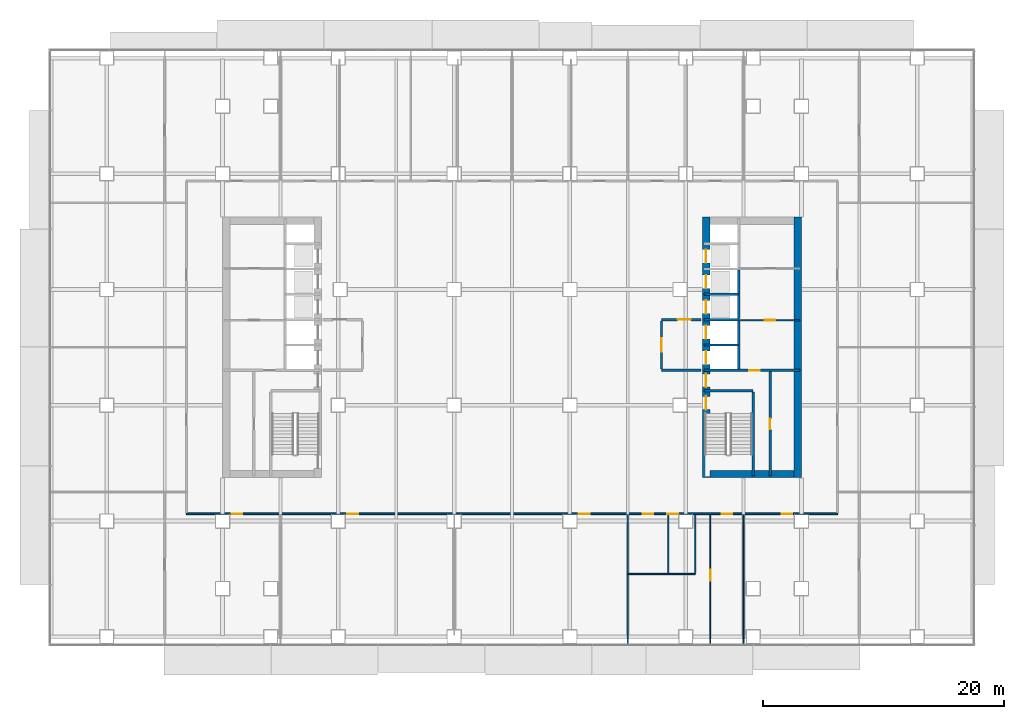
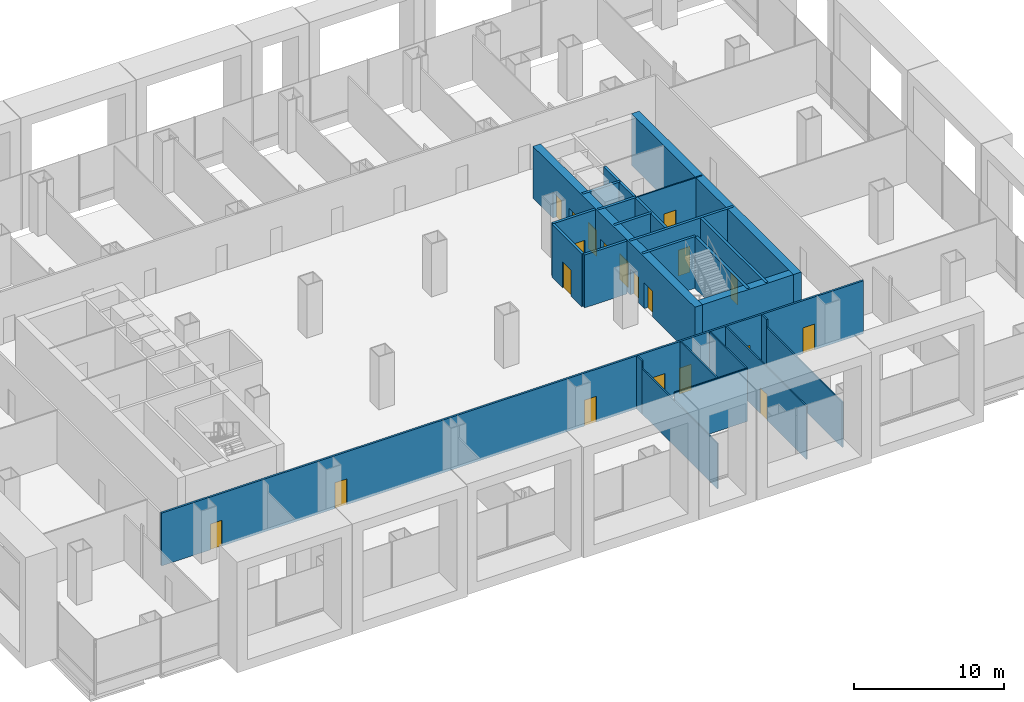
# One storey, part 15 of 23: 25 walls, 20 doors, 20 openings.
"""IFC4 building model written with IfcOpenShell, lengths in metres."""

from ifc_helpers import new_model, si_unit, direction, frame, frame_2d, origin, place, context, subcontext, project, spatial, rectangle, extrude, material, layer, layer_set, type_object, element, fill, save


model = new_model("IFC4")

# Units and contexts
model_context = context("Model", 3, precision=1e-05, world=origin(), true_north=direction((0.0, 1.0)))
body_context = subcontext(model_context, "Body", "Model", "MODEL_VIEW")
ifc_project = project(units=[si_unit("LENGTHUNIT", "METRE"), si_unit("AREAUNIT", "SQUARE_METRE"), si_unit("VOLUMEUNIT", "CUBIC_METRE"), si_unit("PLANEANGLEUNIT", "RADIAN"), si_unit("MASSUNIT", "GRAM", prefix="KILO")], contexts=[model_context])

# Site, building, storey
site_placement = place(None, origin())
site = spatial("IfcSite", under=ifc_project, at=site_placement, CompositionType="ELEMENT")
building_placement = place(site_placement, origin())
building = spatial("IfcBuilding", under=site, at=building_placement, Name="Cobrizo Arcos Hotel Tower", CompositionType="ELEMENT")
storey_placement = place(building_placement, frame((0.0, 0.0, 15.5)))
storey = spatial("IfcBuildingStorey", under=building, at=storey_placement, Name="L02", CompositionType="ELEMENT", Elevation=15.5)

# Wall, openings, doors
ifc_material_1 = material(Name="Gypsum board partition")
ifc_layer_1 = layer(ifc_material_1, 0.14990234375)
ifc_layer_set_1 = layer_set([ifc_layer_1], Name="Corridor wall EI 60 150")
wall_type_1 = type_object("IfcWallType", Name="Corridor wall EI 60 150", PredefinedType="PARTITIONING", material=ifc_layer_set_1)
wall_1_placement = place(storey_placement, frame((-27.0, -13.800048828125, 0.0), z_axis=(0.0, 0.0, 1.0), x_axis=(1.0, 0.0, 0.0)))
wall_1 = element("IfcWall", 1, at=wall_1_placement, inside=storey, type_object=wall_type_1, Name="Partition 002", PredefinedType="PARTITIONING", context=body_context, shape_type="SweptSolid", body=[
    extrude(rectangle(XDim=54.0, YDim=0.14990234375, at=frame_2d((27.0, 0.0))), origin(), (0.0, 0.0, 1.0), 4.300048828125),
])
opening_1_placement = place(wall_1_placement, frame((37.830078125, 0.0, 0.0)))
opening_1 = element("IfcOpeningElement", 2, at=opening_1_placement, cuts=wall_1, Name="Opening ED-01", PredefinedType="OPENING", context=body_context, shape_type="SweptSolid", body=[
    extrude(rectangle(XDim=0.89990234375, YDim=2.10009765625, at=frame_2d((0.449951171875, 1.050048828125))), frame((0.0, 0.0869140625, 0.0), z_axis=(0.0, -1.0, 0.0), x_axis=(1.0, 0.0, 0.0)), (0.0, 0.0, 1.0), 0.173828125),
])
opening_2_placement = place(wall_1_placement, frame((39.8798828125, 0.0, 0.0)))
opening_2 = element("IfcOpeningElement", 3, at=opening_2_placement, cuts=wall_1, Name="Opening ED-02", PredefinedType="OPENING", context=body_context, shape_type="SweptSolid", body=[
    extrude(rectangle(XDim=0.89990234375, YDim=2.10009765625, at=frame_2d((0.449951171875, 1.050048828125))), frame((0.0, 0.0869140625, 0.0), z_axis=(0.0, -1.0, 0.0), x_axis=(1.0, 0.0, 0.0)), (0.0, 0.0, 1.0), 0.173828125),
])
opening_3_placement = place(wall_1_placement, frame((3.75, 0.0, 0.0)))
opening_3 = element("IfcOpeningElement", 4, at=opening_3_placement, cuts=wall_1, Name="Opening RD-16", PredefinedType="OPENING", context=body_context, shape_type="SweptSolid", body=[
    extrude(rectangle(XDim=0.89990234375, YDim=2.10009765625, at=frame_2d((0.449951171875, 1.050048828125))), frame((0.0, 0.0869140625, 0.0), z_axis=(0.0, -1.0, 0.0), x_axis=(1.0, 0.0, 0.0)), (0.0, 0.0, 1.0), 0.173828125),
])
opening_4_placement = place(wall_1_placement, frame((49.35009765625, 0.0, 0.0)))
opening_4 = element("IfcOpeningElement", 5, at=opening_4_placement, cuts=wall_1, Name="Opening RD-20", PredefinedType="OPENING", context=body_context, shape_type="SweptSolid", body=[
    extrude(rectangle(XDim=0.89990234375, YDim=2.10009765625, at=frame_2d((0.449951171875, 1.050048828125))), frame((0.0, 0.0869140625, 0.0), z_axis=(0.0, -1.0, 0.0), x_axis=(1.0, 0.0, 0.0)), (0.0, 0.0, 1.0), 0.173828125),
])
opening_5_placement = place(wall_1_placement, frame((13.35009765625, 0.0, 0.0)))
opening_5 = element("IfcOpeningElement", 6, at=opening_5_placement, cuts=wall_1, Name="Opening RD-24", PredefinedType="OPENING", context=body_context, shape_type="SweptSolid", body=[
    extrude(rectangle(XDim=0.89990234375, YDim=2.10009765625, at=frame_2d((0.449951171875, 1.050048828125))), frame((0.0, 0.0869140625, 0.0), z_axis=(0.0, -1.0, 0.0), x_axis=(1.0, 0.0, 0.0)), (0.0, 0.0, 1.0), 0.173828125),
])
opening_6_placement = place(wall_1_placement, frame((32.550048828125, 0.0, 0.0)))
opening_6 = element("IfcOpeningElement", 7, at=opening_6_placement, cuts=wall_1, Name="Opening RD-25", PredefinedType="OPENING", context=body_context, shape_type="SweptSolid", body=[
    extrude(rectangle(XDim=0.89990234375, YDim=2.10009765625, at=frame_2d((0.449951171875, 1.050048828125))), frame((0.0, 0.0869140625, 0.0), z_axis=(0.0, -1.0, 0.0), x_axis=(1.0, 0.0, 0.0)), (0.0, 0.0, 1.0), 0.173828125),
])
opening_7_placement = place(wall_1_placement, frame((44.382080078125, 0.0, 0.0)))
opening_7 = element("IfcOpeningElement", 8, at=opening_7_placement, cuts=wall_1, Name="Opening RD-27", PredefinedType="OPENING", context=body_context, shape_type="SweptSolid", body=[
    extrude(rectangle(XDim=0.89990234375, YDim=2.10009765625, at=frame_2d((0.449951171875, 1.050048828125))), frame((0.0, 0.0869140625, 0.0), z_axis=(0.0, -1.0, 0.0), x_axis=(1.0, 0.0, 0.0)), (0.0, 0.0, 1.0), 0.173828125),
])
ifc_material_2 = material(Name="Timber door leaf", Category="wood")
door_type_1 = type_object("IfcDoorType", Name="En-suite door 900x2100", OperationType="SINGLE_SWING_LEFT", PredefinedType="DOOR", material=ifc_material_2)
door_1_placement = place(opening_1_placement, origin())
door_1 = element("IfcDoor", 9, at=door_1_placement, inside=storey, type_object=door_type_1, Name="Door ED-01", OperationType="SINGLE_SWING_RIGHT", OverallHeight=2.10009765625, OverallWidth=0.89990234375, PredefinedType="DOOR", context=body_context, shape_type="SweptSolid", body=[
    extrude(rectangle(XDim=0.89990234375, YDim=2.10009765625, at=frame_2d((0.449951171875, 1.050048828125))), frame((0.0, 0.02490234375, 0.0), z_axis=(0.0, -1.0, 0.0), x_axis=(1.0, 0.0, 0.0)), (0.0, 0.0, 1.0), 0.050048828125),
])
fill(opening_1, door_1)
door_2_placement = place(opening_2_placement, origin())
door_2 = element("IfcDoor", 10, at=door_2_placement, inside=storey, type_object=door_type_1, Name="Door ED-02", OperationType="SINGLE_SWING_LEFT", OverallHeight=2.10009765625, OverallWidth=0.89990234375, PredefinedType="DOOR", context=body_context, shape_type="SweptSolid", body=[
    extrude(rectangle(XDim=0.89990234375, YDim=2.10009765625, at=frame_2d((0.449951171875, 1.050048828125))), frame((0.0, 0.02490234375, 0.0), z_axis=(0.0, -1.0, 0.0), x_axis=(1.0, 0.0, 0.0)), (0.0, 0.0, 1.0), 0.050048828125),
])
fill(opening_2, door_2)
door_type_2 = type_object("IfcDoorType", Name="Room door FD30 900x2100", OperationType="SINGLE_SWING_LEFT", PredefinedType="DOOR", material=ifc_material_2)
door_3_placement = place(opening_3_placement, origin())
door_3 = element("IfcDoor", 11, at=door_3_placement, inside=storey, type_object=door_type_2, Name="Door RD-16", OperationType="SINGLE_SWING_LEFT", OverallHeight=2.10009765625, OverallWidth=0.89990234375, PredefinedType="DOOR", context=body_context, shape_type="SweptSolid", body=[
    extrude(rectangle(XDim=0.89990234375, YDim=2.10009765625, at=frame_2d((0.449951171875, 1.050048828125))), frame((0.0, 0.02490234375, 0.0), z_axis=(0.0, -1.0, 0.0), x_axis=(1.0, 0.0, 0.0)), (0.0, 0.0, 1.0), 0.050048828125),
])
fill(opening_3, door_3)
door_4_placement = place(opening_4_placement, origin())
door_4 = element("IfcDoor", 12, at=door_4_placement, inside=storey, type_object=door_type_2, Name="Door RD-20", OperationType="SINGLE_SWING_RIGHT", OverallHeight=2.10009765625, OverallWidth=0.89990234375, PredefinedType="DOOR", context=body_context, shape_type="SweptSolid", body=[
    extrude(rectangle(XDim=0.89990234375, YDim=2.10009765625, at=frame_2d((0.449951171875, 1.050048828125))), frame((0.0, 0.02490234375, 0.0), z_axis=(0.0, -1.0, 0.0), x_axis=(1.0, 0.0, 0.0)), (0.0, 0.0, 1.0), 0.050048828125),
])
fill(opening_4, door_4)
door_5_placement = place(opening_5_placement, origin())
door_5 = element("IfcDoor", 13, at=door_5_placement, inside=storey, type_object=door_type_2, Name="Door RD-24", OperationType="SINGLE_SWING_LEFT", OverallHeight=2.10009765625, OverallWidth=0.89990234375, PredefinedType="DOOR", context=body_context, shape_type="SweptSolid", body=[
    extrude(rectangle(XDim=0.89990234375, YDim=2.10009765625, at=frame_2d((0.449951171875, 1.050048828125))), frame((0.0, 0.02490234375, 0.0), z_axis=(0.0, -1.0, 0.0), x_axis=(1.0, 0.0, 0.0)), (0.0, 0.0, 1.0), 0.050048828125),
])
fill(opening_5, door_5)
door_6_placement = place(opening_6_placement, origin())
door_6 = element("IfcDoor", 14, at=door_6_placement, inside=storey, type_object=door_type_2, Name="Door RD-25", OperationType="SINGLE_SWING_LEFT", OverallHeight=2.10009765625, OverallWidth=0.89990234375, PredefinedType="DOOR", context=body_context, shape_type="SweptSolid", body=[
    extrude(rectangle(XDim=0.89990234375, YDim=2.10009765625, at=frame_2d((0.449951171875, 1.050048828125))), frame((0.0, 0.02490234375, 0.0), z_axis=(0.0, -1.0, 0.0), x_axis=(1.0, 0.0, 0.0)), (0.0, 0.0, 1.0), 0.050048828125),
])
fill(opening_6, door_6)
door_7_placement = place(opening_7_placement, origin())
door_7 = element("IfcDoor", 15, at=door_7_placement, inside=storey, type_object=door_type_2, Name="Door RD-27", OperationType="SINGLE_SWING_RIGHT", OverallHeight=2.10009765625, OverallWidth=0.89990234375, PredefinedType="DOOR", context=body_context, shape_type="SweptSolid", body=[
    extrude(rectangle(XDim=0.89990234375, YDim=2.10009765625, at=frame_2d((0.449951171875, 1.050048828125))), frame((0.0, 0.02490234375, 0.0), z_axis=(0.0, -1.0, 0.0), x_axis=(1.0, 0.0, 0.0)), (0.0, 0.0, 1.0), 0.050048828125),
])
fill(opening_7, door_7)

# Wall
ifc_layer_2 = layer(ifc_material_1, 0.10009765625)
ifc_layer_set_2 = layer_set([ifc_layer_2], Name="Partition EI 30 100")
wall_type_2 = type_object("IfcWallType", Name="Partition EI 30 100", PredefinedType="PARTITIONING", material=ifc_layer_set_2)
wall_2_placement = place(storey_placement, frame((9.60009765625, -18.800048828125, 0.0), z_axis=(0.0, 0.0, 1.0), x_axis=(1.0, 0.0, 0.0)))
element("IfcWall", 16, at=wall_2_placement, inside=storey, type_object=wall_type_2, Name="Partition 001", PredefinedType="PARTITIONING", context=body_context, shape_type="SweptSolid", body=[
    extrude(rectangle(XDim=5.599853515625, YDim=0.10009765625, at=frame_2d((2.7998046875, 0.0))), origin(), (0.0, 0.0, 1.0), 4.300048828125),
])

# Wall, opening, door
wall_3_placement = place(storey_placement, frame((18.800048828125, 2.25, 0.0), z_axis=(0.0, 0.0, 1.0), x_axis=(1.0, 0.0, 0.0)))
wall_3 = element("IfcWall", 17, at=wall_3_placement, inside=storey, type_object=wall_type_2, Name="Partition 016", PredefinedType="PARTITIONING", context=body_context, shape_type="SweptSolid", body=[
    extrude(rectangle(XDim=5.079833984375, YDim=0.10009765625, at=frame_2d((2.5400390625, 0.0))), origin(), (0.0, 0.0, 1.0), 4.199951171875),
])
opening_8_placement = place(wall_3_placement, frame((2.14990234375, 0.0, 0.0)))
opening_8 = element("IfcOpeningElement", 18, at=opening_8_placement, cuts=wall_3, Name="Opening RD-07", PredefinedType="OPENING", context=body_context, shape_type="SweptSolid", body=[
    extrude(rectangle(XDim=0.89990234375, YDim=2.10009765625, at=frame_2d((0.449951171875, 1.050048828125))), frame((0.0, 0.06201171875, 0.0), z_axis=(0.0, -1.0, 0.0), x_axis=(1.0, 0.0, 0.0)), (0.0, 0.0, 1.0), 0.1240234375),
])
door_8_placement = place(opening_8_placement, origin())
door_8 = element("IfcDoor", 19, at=door_8_placement, inside=storey, type_object=door_type_2, Name="Door RD-07", OperationType="SINGLE_SWING_LEFT", OverallHeight=2.10009765625, OverallWidth=0.89990234375, PredefinedType="DOOR", context=body_context, shape_type="SweptSolid", body=[
    extrude(rectangle(XDim=0.89990234375, YDim=2.10009765625, at=frame_2d((0.449951171875, 1.050048828125))), frame((0.0, 0.02490234375, 0.0), z_axis=(0.0, -1.0, 0.0), x_axis=(1.0, 0.0, 0.0)), (0.0, 0.0, 1.0), 0.050048828125),
])
fill(opening_8, door_8)

# Walls
wall_4_placement = place(storey_placement, frame((9.60009765625, -24.6298828125, 0.0), z_axis=(0.0, 0.0, 1.0), x_axis=(0.0, 1.0, 0.0)))
element("IfcWall", 20, at=wall_4_placement, inside=storey, type_object=wall_type_2, Name="Partition 062", PredefinedType="PARTITIONING", context=body_context, shape_type="SweptSolid", body=[
    extrude(rectangle(XDim=10.076171875, YDim=0.10009765625, at=frame_2d((5.0380859375, 0.0))), origin(), (0.0, 0.0, 1.0), 3.68310546875),
])
wall_5_placement = place(storey_placement, frame((9.60009765625, -14.553955078125, 0.0), z_axis=(0.0, 0.0, 1.0), x_axis=(0.0, 1.0, 0.0)))
element("IfcWall", 21, at=wall_5_placement, inside=storey, type_object=wall_type_2, Name="Partition 063", PredefinedType="PARTITIONING", context=body_context, shape_type="SweptSolid", body=[
    extrude(rectangle(XDim=0.678955078125, YDim=0.10009765625, at=frame_2d((0.33935546875, 0.0))), origin(), (0.0, 0.0, 1.0), 4.300048828125),
])
for number, where, z_axis, x_axis, name in (
    (22, (12.949951171875, -18.75, 0.0), (0.0, 0.0, 1.0), (0.0, 1.0, 0.0), "Partition 067"),
    (23, (15.199951171875, -18.75, 0.0), (0.0, 0.0, 1.0), (0.0, 1.0, 0.0), "Partition 071"),
):
    element("IfcWall", number, at=place(storey_placement, frame(where, z_axis=z_axis, x_axis=x_axis)), inside=storey, type_object=wall_type_2, Name=name, PredefinedType="PARTITIONING", context=body_context, shape_type="SweptSolid", body=[
        extrude(rectangle(XDim=4.875, YDim=0.10009765625, at=frame_2d((2.4375, 0.0))), origin(), (0.0, 0.0, 1.0), 4.300048828125),
    ])

# Wall, opening, door
wall_6_placement = place(storey_placement, frame((16.449951171875, -24.6298828125, 0.0), z_axis=(0.0, 0.0, 1.0), x_axis=(0.0, 1.0, 0.0)))
wall_6 = element("IfcWall", 24, at=wall_6_placement, inside=storey, type_object=wall_type_2, Name="Partition 072", PredefinedType="PARTITIONING", context=body_context, shape_type="SweptSolid", body=[
    extrude(rectangle(XDim=10.7548828125, YDim=0.10009765625, at=frame_2d((5.37744140625, 0.0))), origin(), (0.0, 0.0, 1.0), 4.300048828125),
])
opening_9_placement = place(wall_6_placement, frame((5.280029296875, 0.0, 0.0)))
opening_9 = element("IfcOpeningElement", 25, at=opening_9_placement, cuts=wall_6, Name="Opening RD-28", PredefinedType="OPENING", context=body_context, shape_type="SweptSolid", body=[
    extrude(rectangle(XDim=0.89990234375, YDim=2.10009765625, at=frame_2d((0.449951171875, 1.050048828125))), frame((0.0, 0.06201171875, 0.0), z_axis=(0.0, -1.0, 0.0), x_axis=(1.0, 0.0, 0.0)), (0.0, 0.0, 1.0), 0.1240234375),
])
door_9_placement = place(opening_9_placement, origin())
door_9 = element("IfcDoor", 26, at=door_9_placement, inside=storey, type_object=door_type_2, Name="Door RD-28", OperationType="SINGLE_SWING_LEFT", OverallHeight=2.10009765625, OverallWidth=0.89990234375, PredefinedType="DOOR", context=body_context, shape_type="SweptSolid", body=[
    extrude(rectangle(XDim=0.89990234375, YDim=2.10009765625, at=frame_2d((0.449951171875, 1.050048828125))), frame((0.0, 0.02490234375, 0.0), z_axis=(0.0, -1.0, 0.0), x_axis=(1.0, 0.0, 0.0)), (0.0, 0.0, 1.0), 0.050048828125),
])
fill(opening_9, door_9)

# Walls
wall_7_placement = place(storey_placement, frame((19.199951171875, -24.6298828125, 0.0), z_axis=(0.0, 0.0, 1.0), x_axis=(0.0, 1.0, 0.0)))
element("IfcWall", 27, at=wall_7_placement, inside=storey, type_object=wall_type_2, Name="Partition 076", PredefinedType="PARTITIONING", context=body_context, shape_type="SweptSolid", body=[
    extrude(rectangle(XDim=10.076171875, YDim=0.10009765625, at=frame_2d((5.0380859375, 0.0))), origin(), (0.0, 0.0, 1.0), 3.68310546875),
])
wall_8_placement = place(storey_placement, frame((19.199951171875, -14.553955078125, 0.0), z_axis=(0.0, 0.0, 1.0), x_axis=(0.0, 1.0, 0.0)))
element("IfcWall", 28, at=wall_8_placement, inside=storey, type_object=wall_type_2, Name="Partition 077", PredefinedType="PARTITIONING", context=body_context, shape_type="SweptSolid", body=[
    extrude(rectangle(XDim=0.678955078125, YDim=0.10009765625, at=frame_2d((0.33935546875, 0.0))), origin(), (0.0, 0.0, 1.0), 4.300048828125),
])

# Wall, openings, doors
ifc_material_3 = material(Name="Concrete f'c 60 MPa", Category="concrete")
ifc_layer_3 = layer(ifc_material_3, 0.60009765625)
ifc_layer_set_3 = layer_set([ifc_layer_3], Name="RC core wall 600 f'c 60")
wall_type_3 = type_object("IfcWallType", Name="RC core wall 600 f'c 60", PredefinedType="SHEAR", material=ifc_layer_set_3)
wall_9_placement = place(storey_placement, frame((16.10009765625, -10.800048828125, 0.0), z_axis=(0.0, 0.0, 1.0), x_axis=(0.0, 1.0, 0.0)))
wall_9 = element("IfcWall", 29, at=wall_9_placement, inside=storey, type_object=wall_type_3, Name="Core wall CW1, east core, inner face, L02", PredefinedType="SHEAR", context=body_context, shape_type="SweptSolid", body=[
    extrude(rectangle(XDim=21.60009765625, YDim=0.60009765625, at=frame_2d((10.800048828125, 0.0))), origin(), (0.0, 0.0, 1.0), 4.199951171875),
])
opening_10_placement = place(wall_9_placement, frame((9.39990234375, 0.0, 0.0)))
opening_10 = element("IfcOpeningElement", 30, at=opening_10_placement, cuts=wall_9, Name="Opening LD-06", PredefinedType="OPENING", context=body_context, shape_type="SweptSolid", body=[
    extrude(rectangle(XDim=1.10009765625, YDim=2.10009765625, at=frame_2d((0.550048828125, 1.050048828125))), frame((0.0, 0.31201171875, 0.0), z_axis=(0.0, -1.0, 0.0), x_axis=(1.0, 0.0, 0.0)), (0.0, 0.0, 1.0), 0.6240234375),
])
opening_11_placement = place(wall_9_placement, frame((11.5, 0.0, 0.0)))
opening_11 = element("IfcOpeningElement", 31, at=opening_11_placement, cuts=wall_9, Name="Opening LD-07", PredefinedType="OPENING", context=body_context, shape_type="SweptSolid", body=[
    extrude(rectangle(XDim=1.10009765625, YDim=2.10009765625, at=frame_2d((0.550048828125, 1.050048828125))), frame((0.0, 0.31201171875, 0.0), z_axis=(0.0, -1.0, 0.0), x_axis=(1.0, 0.0, 0.0)), (0.0, 0.0, 1.0), 0.6240234375),
])
opening_12_placement = place(wall_9_placement, frame((13.60009765625, 0.0, 0.0)))
opening_12 = element("IfcOpeningElement", 32, at=opening_12_placement, cuts=wall_9, Name="Opening LD-08", PredefinedType="OPENING", context=body_context, shape_type="SweptSolid", body=[
    extrude(rectangle(XDim=1.10009765625, YDim=2.10009765625, at=frame_2d((0.550048828125, 1.050048828125))), frame((0.0, 0.31201171875, 0.0), z_axis=(0.0, -1.0, 0.0), x_axis=(1.0, 0.0, 0.0)), (0.0, 0.0, 1.0), 0.6240234375),
])
opening_13_placement = place(wall_9_placement, frame((15.699951171875, 0.0, 0.0)))
opening_13 = element("IfcOpeningElement", 33, at=opening_13_placement, cuts=wall_9, Name="Opening LD-09", PredefinedType="OPENING", context=body_context, shape_type="SweptSolid", body=[
    extrude(rectangle(XDim=1.10009765625, YDim=2.10009765625, at=frame_2d((0.550048828125, 1.050048828125))), frame((0.0, 0.31201171875, 0.0), z_axis=(0.0, -1.0, 0.0), x_axis=(1.0, 0.0, 0.0)), (0.0, 0.0, 1.0), 0.6240234375),
])
opening_14_placement = place(wall_9_placement, frame((17.800048828125, 0.0, 0.0)))
opening_14 = element("IfcOpeningElement", 34, at=opening_14_placement, cuts=wall_9, Name="Opening LD-10", PredefinedType="OPENING", context=body_context, shape_type="SweptSolid", body=[
    extrude(rectangle(XDim=1.10009765625, YDim=2.10009765625, at=frame_2d((0.550048828125, 1.050048828125))), frame((0.0, 0.31201171875, 0.0), z_axis=(0.0, -1.0, 0.0), x_axis=(1.0, 0.0, 0.0)), (0.0, 0.0, 1.0), 0.6240234375),
])
opening_15_placement = place(wall_9_placement, frame((5.64208984375, 0.0, 0.0)))
opening_15 = element("IfcOpeningElement", 35, at=opening_15_placement, cuts=wall_9, Name="Opening SD-02", PredefinedType="OPENING", context=body_context, shape_type="SweptSolid", body=[
    extrude(rectangle(XDim=1.10009765625, YDim=2.10009765625, at=frame_2d((0.550048828125, 1.050048828125))), frame((0.0, 0.31201171875, 0.0), z_axis=(0.0, -1.0, 0.0), x_axis=(1.0, 0.0, 0.0)), (0.0, 0.0, 1.0), 0.6240234375),
])
opening_16_placement = place(wall_9_placement, frame((7.5, 0.0, 0.0)))
opening_16 = element("IfcOpeningElement", 36, at=opening_16_placement, cuts=wall_9, Name="Opening FD-04", PredefinedType="OPENING", context=body_context, shape_type="SweptSolid", body=[
    extrude(rectangle(XDim=1.10009765625, YDim=2.10009765625, at=frame_2d((0.550048828125, 1.050048828125))), frame((0.0, 0.31201171875, 0.0), z_axis=(0.0, -1.0, 0.0), x_axis=(1.0, 0.0, 0.0)), (0.0, 0.0, 1.0), 0.6240234375),
])
ifc_material_4 = material(Name="Steel door leaf", Category="steel")
door_type_3 = type_object("IfcDoorType", Name="Fire door FD60 1100x2100", OperationType="SINGLE_SWING_LEFT", PredefinedType="DOOR", material=ifc_material_4)
door_10_placement = place(opening_16_placement, origin())
door_10 = element("IfcDoor", 37, at=door_10_placement, inside=storey, type_object=door_type_3, Name="Door FD-04", OperationType="SINGLE_SWING_LEFT", OverallHeight=2.10009765625, OverallWidth=1.10009765625, PredefinedType="DOOR", context=body_context, shape_type="SweptSolid", body=[
    extrude(rectangle(XDim=1.10009765625, YDim=2.10009765625, at=frame_2d((0.550048828125, 1.050048828125))), frame((0.0, 0.02490234375, 0.0), z_axis=(0.0, -1.0, 0.0), x_axis=(1.0, 0.0, 0.0)), (0.0, 0.0, 1.0), 0.050048828125),
])
fill(opening_16, door_10)
door_type_4 = type_object("IfcDoorType", Name="Lift landing door 1100x2100", OperationType="SLIDING_TO_LEFT", PredefinedType="DOOR", material=ifc_material_4)
door_11_placement = place(opening_10_placement, origin())
door_11 = element("IfcDoor", 38, at=door_11_placement, inside=storey, type_object=door_type_4, Name="Lift landing door LD-06", OperationType="SLIDING_TO_LEFT", OverallHeight=2.10009765625, OverallWidth=1.10009765625, PredefinedType="DOOR", context=body_context, shape_type="SweptSolid", body=[
    extrude(rectangle(XDim=1.10009765625, YDim=2.10009765625, at=frame_2d((0.550048828125, 1.050048828125))), frame((0.0, 0.02490234375, 0.0), z_axis=(0.0, -1.0, 0.0), x_axis=(1.0, 0.0, 0.0)), (0.0, 0.0, 1.0), 0.050048828125),
])
fill(opening_10, door_11)
door_12_placement = place(opening_11_placement, origin())
door_12 = element("IfcDoor", 39, at=door_12_placement, inside=storey, type_object=door_type_4, Name="Lift landing door LD-07", OperationType="SLIDING_TO_LEFT", OverallHeight=2.10009765625, OverallWidth=1.10009765625, PredefinedType="DOOR", context=body_context, shape_type="SweptSolid", body=[
    extrude(rectangle(XDim=1.10009765625, YDim=2.10009765625, at=frame_2d((0.550048828125, 1.050048828125))), frame((0.0, 0.02490234375, 0.0), z_axis=(0.0, -1.0, 0.0), x_axis=(1.0, 0.0, 0.0)), (0.0, 0.0, 1.0), 0.050048828125),
])
fill(opening_11, door_12)
door_13_placement = place(opening_12_placement, origin())
door_13 = element("IfcDoor", 40, at=door_13_placement, inside=storey, type_object=door_type_4, Name="Lift landing door LD-08", OperationType="SLIDING_TO_LEFT", OverallHeight=2.10009765625, OverallWidth=1.10009765625, PredefinedType="DOOR", context=body_context, shape_type="SweptSolid", body=[
    extrude(rectangle(XDim=1.10009765625, YDim=2.10009765625, at=frame_2d((0.550048828125, 1.050048828125))), frame((0.0, 0.02490234375, 0.0), z_axis=(0.0, -1.0, 0.0), x_axis=(1.0, 0.0, 0.0)), (0.0, 0.0, 1.0), 0.050048828125),
])
fill(opening_12, door_13)
door_14_placement = place(opening_13_placement, origin())
door_14 = element("IfcDoor", 41, at=door_14_placement, inside=storey, type_object=door_type_4, Name="Lift landing door LD-09", OperationType="SLIDING_TO_LEFT", OverallHeight=2.10009765625, OverallWidth=1.10009765625, PredefinedType="DOOR", context=body_context, shape_type="SweptSolid", body=[
    extrude(rectangle(XDim=1.10009765625, YDim=2.10009765625, at=frame_2d((0.550048828125, 1.050048828125))), frame((0.0, 0.02490234375, 0.0), z_axis=(0.0, -1.0, 0.0), x_axis=(1.0, 0.0, 0.0)), (0.0, 0.0, 1.0), 0.050048828125),
])
fill(opening_13, door_14)
door_15_placement = place(opening_14_placement, origin())
door_15 = element("IfcDoor", 42, at=door_15_placement, inside=storey, type_object=door_type_4, Name="Lift landing door LD-10", OperationType="SLIDING_TO_LEFT", OverallHeight=2.10009765625, OverallWidth=1.10009765625, PredefinedType="DOOR", context=body_context, shape_type="SweptSolid", body=[
    extrude(rectangle(XDim=1.10009765625, YDim=2.10009765625, at=frame_2d((0.550048828125, 1.050048828125))), frame((0.0, 0.02490234375, 0.0), z_axis=(0.0, -1.0, 0.0), x_axis=(1.0, 0.0, 0.0)), (0.0, 0.0, 1.0), 0.050048828125),
])
fill(opening_14, door_15)
door_type_5 = type_object("IfcDoorType", Name="Stair door FD60S 1100x2100", OperationType="SINGLE_SWING_LEFT", PredefinedType="DOOR", material=ifc_material_4)
door_16_placement = place(opening_15_placement, origin())
door_16 = element("IfcDoor", 43, at=door_16_placement, inside=storey, type_object=door_type_5, Name="Door SD-02", OperationType="SINGLE_SWING_LEFT", OverallHeight=2.10009765625, OverallWidth=1.10009765625, PredefinedType="DOOR", context=body_context, shape_type="SweptSolid", body=[
    extrude(rectangle(XDim=1.10009765625, YDim=2.10009765625, at=frame_2d((0.550048828125, 1.050048828125))), frame((0.0, 0.02490234375, 0.0), z_axis=(0.0, -1.0, 0.0), x_axis=(1.0, 0.0, 0.0)), (0.0, 0.0, 1.0), 0.050048828125),
])
fill(opening_15, door_16)

# Walls
wall_10_placement = place(storey_placement, frame((23.699951171875, -10.800048828125, 0.0), z_axis=(0.0, 0.0, 1.0), x_axis=(0.0, 1.0, 0.0)))
element("IfcWall", 44, at=wall_10_placement, inside=storey, type_object=wall_type_3, Name="Core wall CW1, east core, outer face, L02", PredefinedType="SHEAR", context=body_context, shape_type="SweptSolid", body=[
    extrude(rectangle(XDim=21.60009765625, YDim=0.60009765625, at=frame_2d((10.800048828125, 0.0))), origin(), (0.0, 0.0, 1.0), 4.199951171875),
])
wall_11_placement = place(storey_placement, frame((16.39990234375, -10.5, 0.0), z_axis=(0.0, 0.0, 1.0), x_axis=(1.0, 0.0, 0.0)))
element("IfcWall", 45, at=wall_11_placement, inside=storey, type_object=wall_type_3, Name="Core wall CW1, east core, south end, L02", PredefinedType="SHEAR", context=body_context, shape_type="SweptSolid", body=[
    extrude(rectangle(XDim=7.0, YDim=0.60009765625, at=frame_2d((3.5, 0.0))), origin(), (0.0, 0.0, 1.0), 4.199951171875),
])
ifc_layer_4 = layer(ifc_material_1, 0.199951171875)
ifc_layer_set_4 = layer_set([ifc_layer_4], Name="Shaft wall EI 120 200")
wall_type_4 = type_object("IfcWallType", Name="Shaft wall EI 120 200", PredefinedType="PARTITIONING", material=ifc_layer_set_4)
wall_12_placement = place(storey_placement, frame((12.39990234375, -1.89990234375, 0.0), z_axis=(0.0, 0.0, 1.0), x_axis=(1.0, 0.0, 0.0)))
element("IfcWall", 46, at=wall_12_placement, inside=storey, type_object=wall_type_4, Name="Partition 009", PredefinedType="PARTITIONING", context=body_context, shape_type="SweptSolid", body=[
    extrude(rectangle(XDim=3.280029296875, YDim=0.199951171875, at=frame_2d((1.64013671875, 0.0))), origin(), (0.0, 0.0, 1.0), 4.300048828125),
])

# Wall, opening, door
wall_13_placement = place(storey_placement, frame((15.919921875, -1.89990234375, 0.0), z_axis=(0.0, 0.0, 1.0), x_axis=(1.0, 0.0, 0.0)))
wall_13 = element("IfcWall", 47, at=wall_13_placement, inside=storey, type_object=wall_type_4, Name="Partition 010", PredefinedType="PARTITIONING", context=body_context, shape_type="SweptSolid", body=[
    extrude(rectangle(XDim=7.9599609375, YDim=0.199951171875, at=frame_2d((3.97998046875, 0.0))), origin(), (0.0, 0.0, 1.0), 4.199951171875),
])
opening_17_placement = place(wall_13_placement, frame((3.739990234375, 0.0, 0.0)))
opening_17 = element("IfcOpeningElement", 48, at=opening_17_placement, cuts=wall_13, Name="Opening RD-06", PredefinedType="OPENING", context=body_context, shape_type="SweptSolid", body=[
    extrude(rectangle(XDim=0.89990234375, YDim=2.10009765625, at=frame_2d((0.449951171875, 1.050048828125))), frame((0.0, 0.112060546875, 0.0), z_axis=(0.0, -1.0, 0.0), x_axis=(1.0, 0.0, 0.0)), (0.0, 0.0, 1.0), 0.223876953125),
])
door_17_placement = place(opening_17_placement, origin())
door_17 = element("IfcDoor", 49, at=door_17_placement, inside=storey, type_object=door_type_2, Name="Door RD-06", OperationType="SINGLE_SWING_LEFT", OverallHeight=2.10009765625, OverallWidth=0.89990234375, PredefinedType="DOOR", context=body_context, shape_type="SweptSolid", body=[
    extrude(rectangle(XDim=0.89990234375, YDim=2.10009765625, at=frame_2d((0.449951171875, 1.050048828125))), frame((0.0, 0.02490234375, 0.0), z_axis=(0.0, -1.0, 0.0), x_axis=(1.0, 0.0, 0.0)), (0.0, 0.0, 1.0), 0.050048828125),
])
fill(opening_17, door_17)

# Wall
wall_14_placement = place(storey_placement, frame((15.919921875, 0.199951171875, 0.0), z_axis=(0.0, 0.0, 1.0), x_axis=(1.0, 0.0, 0.0)))
element("IfcWall", 50, at=wall_14_placement, inside=storey, type_object=wall_type_4, Name="Partition 014", PredefinedType="PARTITIONING", context=body_context, shape_type="SweptSolid", body=[
    extrude(rectangle(XDim=2.880126953125, YDim=0.199951171875, at=frame_2d((1.43994140625, 0.0))), origin(), (0.0, 0.0, 1.0), 4.199951171875),
])

# Wall, opening, door
wall_15_placement = place(storey_placement, frame((12.39990234375, 2.300048828125, 0.0), z_axis=(0.0, 0.0, 1.0), x_axis=(1.0, 0.0, 0.0)))
wall_15 = element("IfcWall", 51, at=wall_15_placement, inside=storey, type_object=wall_type_4, Name="Partition 019", PredefinedType="PARTITIONING", context=body_context, shape_type="SweptSolid", body=[
    extrude(rectangle(XDim=3.280029296875, YDim=0.199951171875, at=frame_2d((1.64013671875, 0.0))), origin(), (0.0, 0.0, 1.0), 4.300048828125),
])
opening_18_placement = place(wall_15_placement, frame((1.340087890625, 0.0, 0.0)))
opening_18 = element("IfcOpeningElement", 52, at=opening_18_placement, cuts=wall_15, Name="Opening FD-06", PredefinedType="OPENING", context=body_context, shape_type="SweptSolid", body=[
    extrude(rectangle(XDim=1.10009765625, YDim=2.10009765625, at=frame_2d((0.550048828125, 1.050048828125))), frame((0.0, 0.112060546875, 0.0), z_axis=(0.0, -1.0, 0.0), x_axis=(1.0, 0.0, 0.0)), (0.0, 0.0, 1.0), 0.223876953125),
])
door_18_placement = place(opening_18_placement, origin())
door_18 = element("IfcDoor", 53, at=door_18_placement, inside=storey, type_object=door_type_3, Name="Door FD-06", OperationType="SINGLE_SWING_RIGHT", OverallHeight=2.10009765625, OverallWidth=1.10009765625, PredefinedType="DOOR", context=body_context, shape_type="SweptSolid", body=[
    extrude(rectangle(XDim=1.10009765625, YDim=2.10009765625, at=frame_2d((0.550048828125, 1.050048828125))), frame((0.0, 0.02490234375, 0.0), z_axis=(0.0, -1.0, 0.0), x_axis=(1.0, 0.0, 0.0)), (0.0, 0.0, 1.0), 0.050048828125),
])
fill(opening_18, door_18)

# Walls
for number, where, z_axis, x_axis, name in (
    (54, (15.919921875, 2.300048828125, 0.0), (0.0, 0.0, 1.0), (1.0, 0.0, 0.0), "Partition 020"),
    (55, (15.919921875, 4.39990234375, 0.0), (0.0, 0.0, 1.0), (1.0, 0.0, 0.0), "Partition 022"),
):
    element("IfcWall", number, at=place(storey_placement, frame(where, z_axis=z_axis, x_axis=x_axis)), inside=storey, type_object=wall_type_4, Name=name, PredefinedType="PARTITIONING", context=body_context, shape_type="SweptSolid", body=[
        extrude(rectangle(XDim=2.880126953125, YDim=0.199951171875, at=frame_2d((1.43994140625, 0.0))), origin(), (0.0, 0.0, 1.0), 4.199951171875),
    ])

# Wall, opening, door
wall_16_placement = place(storey_placement, frame((12.39990234375, -1.800048828125, 0.0), z_axis=(0.0, 0.0, 1.0), x_axis=(0.0, 1.0, 0.0)))
wall_16 = element("IfcWall", 56, at=wall_16_placement, inside=storey, type_object=wall_type_4, Name="Partition 066", PredefinedType="PARTITIONING", context=body_context, shape_type="SweptSolid", body=[
    extrude(rectangle(XDim=4.0, YDim=0.199951171875, at=frame_2d((2.0, 0.0))), origin(), (0.0, 0.0, 1.0), 4.300048828125),
])
opening_19_placement = place(wall_16_placement, frame((1.449951171875, 0.0, 0.0)))
opening_19 = element("IfcOpeningElement", 57, at=opening_19_placement, cuts=wall_16, Name="Opening FD-05", PredefinedType="OPENING", context=body_context, shape_type="SweptSolid", body=[
    extrude(rectangle(XDim=1.10009765625, YDim=2.10009765625, at=frame_2d((0.550048828125, 1.050048828125))), frame((0.0, 0.112060546875, 0.0), z_axis=(0.0, -1.0, 0.0), x_axis=(1.0, 0.0, 0.0)), (0.0, 0.0, 1.0), 0.223876953125),
])
door_19_placement = place(opening_19_placement, origin())
door_19 = element("IfcDoor", 58, at=door_19_placement, inside=storey, type_object=door_type_3, Name="Door FD-05", OperationType="SINGLE_SWING_RIGHT", OverallHeight=2.10009765625, OverallWidth=1.10009765625, PredefinedType="DOOR", context=body_context, shape_type="SweptSolid", body=[
    extrude(rectangle(XDim=1.10009765625, YDim=2.10009765625, at=frame_2d((0.550048828125, 1.050048828125))), frame((0.0, 0.02490234375, 0.0), z_axis=(0.0, -1.0, 0.0), x_axis=(1.0, 0.0, 0.0)), (0.0, 0.0, 1.0), 0.050048828125),
])
fill(opening_19, door_19)

# Walls
for number, where, z_axis, x_axis, name in (
    (59, (18.800048828125, -1.800048828125, 0.0), (0.0, 0.0, 1.0), (0.0, 1.0, 0.0), "Partition 073"),
    (60, (18.800048828125, 2.39990234375, 0.0), (0.0, 0.0, 1.0), (0.0, 1.0, 0.0), "Partition 074"),
):
    element("IfcWall", number, at=place(storey_placement, frame(where, z_axis=z_axis, x_axis=x_axis)), inside=storey, type_object=wall_type_4, Name=name, PredefinedType="PARTITIONING", context=body_context, shape_type="SweptSolid", body=[
        extrude(rectangle(XDim=4.0, YDim=0.199951171875, at=frame_2d((2.0, 0.0))), origin(), (0.0, 0.0, 1.0), 4.199951171875),
    ])

# Wall, opening, door
wall_17_placement = place(storey_placement, frame((21.39990234375, -10.679931640625, 0.0), z_axis=(0.0, 0.0, 1.0), x_axis=(0.0, 1.0, 0.0)))
wall_17 = element("IfcWall", 61, at=wall_17_placement, inside=storey, type_object=wall_type_4, Name="Partition 081", PredefinedType="PARTITIONING", context=body_context, shape_type="SweptSolid", body=[
    extrude(rectangle(XDim=8.679931640625, YDim=0.199951171875, at=frame_2d((4.33984375, 0.0))), origin(), (0.0, 0.0, 1.0), 4.199951171875),
])
opening_20_placement = place(wall_17_placement, frame((3.8798828125, 0.0, 0.0)))
opening_20 = element("IfcOpeningElement", 62, at=opening_20_placement, cuts=wall_17, Name="Opening RD-05", PredefinedType="OPENING", context=body_context, shape_type="SweptSolid", body=[
    extrude(rectangle(XDim=0.89990234375, YDim=2.10009765625, at=frame_2d((0.449951171875, 1.050048828125))), frame((0.0, 0.112060546875, 0.0), z_axis=(0.0, -1.0, 0.0), x_axis=(1.0, 0.0, 0.0)), (0.0, 0.0, 1.0), 0.223876953125),
])
door_20_placement = place(opening_20_placement, origin())
door_20 = element("IfcDoor", 63, at=door_20_placement, inside=storey, type_object=door_type_2, Name="Door RD-05", OperationType="SINGLE_SWING_RIGHT", OverallHeight=2.10009765625, OverallWidth=0.89990234375, PredefinedType="DOOR", context=body_context, shape_type="SweptSolid", body=[
    extrude(rectangle(XDim=0.89990234375, YDim=2.10009765625, at=frame_2d((0.449951171875, 1.050048828125))), frame((0.0, 0.02490234375, 0.0), z_axis=(0.0, -1.0, 0.0), x_axis=(1.0, 0.0, 0.0)), (0.0, 0.0, 1.0), 0.050048828125),
])
fill(opening_20, door_20)

# Walls
ifc_material_5 = material(Name="Concrete f'c 40 MPa", Category="concrete")
ifc_layer_5 = layer(ifc_material_5, 0.199951171875)
ifc_layer_set_5 = layer_set([ifc_layer_5], Name="Stair shaft wall 200")
wall_type_5 = type_object("IfcWallType", Name="Stair shaft wall 200", PredefinedType="SHEAR", material=ifc_layer_set_5)
wall_18_placement = place(storey_placement, frame((15.919921875, -3.60009765625, 0.0), z_axis=(0.0, 0.0, 1.0), x_axis=(1.0, 0.0, 0.0)))
element("IfcWall", 64, at=wall_18_placement, inside=storey, type_object=wall_type_5, Name="Stair shaft wall E", PredefinedType="SHEAR", context=body_context, shape_type="SweptSolid", body=[
    extrude(rectangle(XDim=4.080078125, YDim=0.199951171875, at=frame_2d((2.0400390625, 0.0))), origin(), (0.0, 0.0, 1.0), 4.199951171875),
])
wall_19_placement = place(storey_placement, frame((20.0, -10.679931640625, 0.0), z_axis=(0.0, 0.0, 1.0), x_axis=(0.0, 1.0, 0.0)))
element("IfcWall", 65, at=wall_19_placement, inside=storey, type_object=wall_type_5, Name="Stair shaft wall E", PredefinedType="SHEAR", context=body_context, shape_type="SweptSolid", body=[
    extrude(rectangle(XDim=6.97998046875, YDim=0.199951171875, at=frame_2d((3.489990234375, 0.0))), origin(), (0.0, 0.0, 1.0), 4.199951171875),
])

save(model, "model.ifc")
